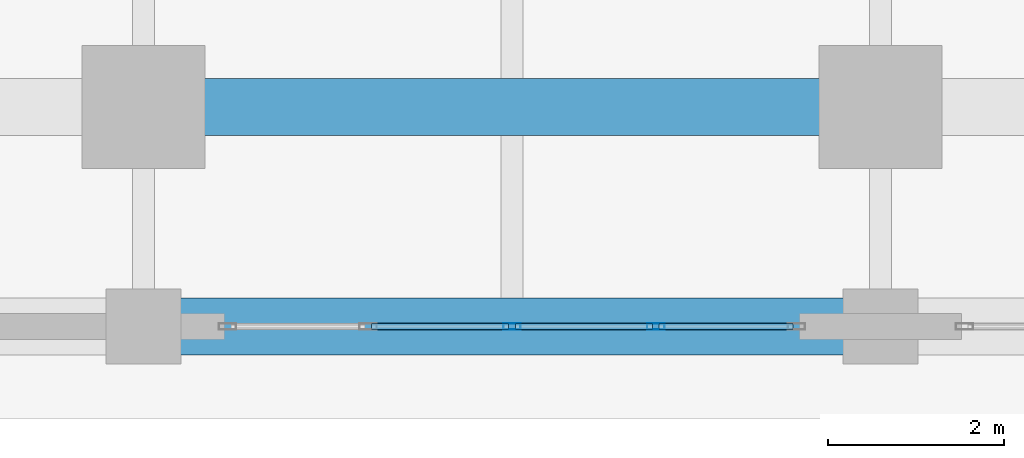
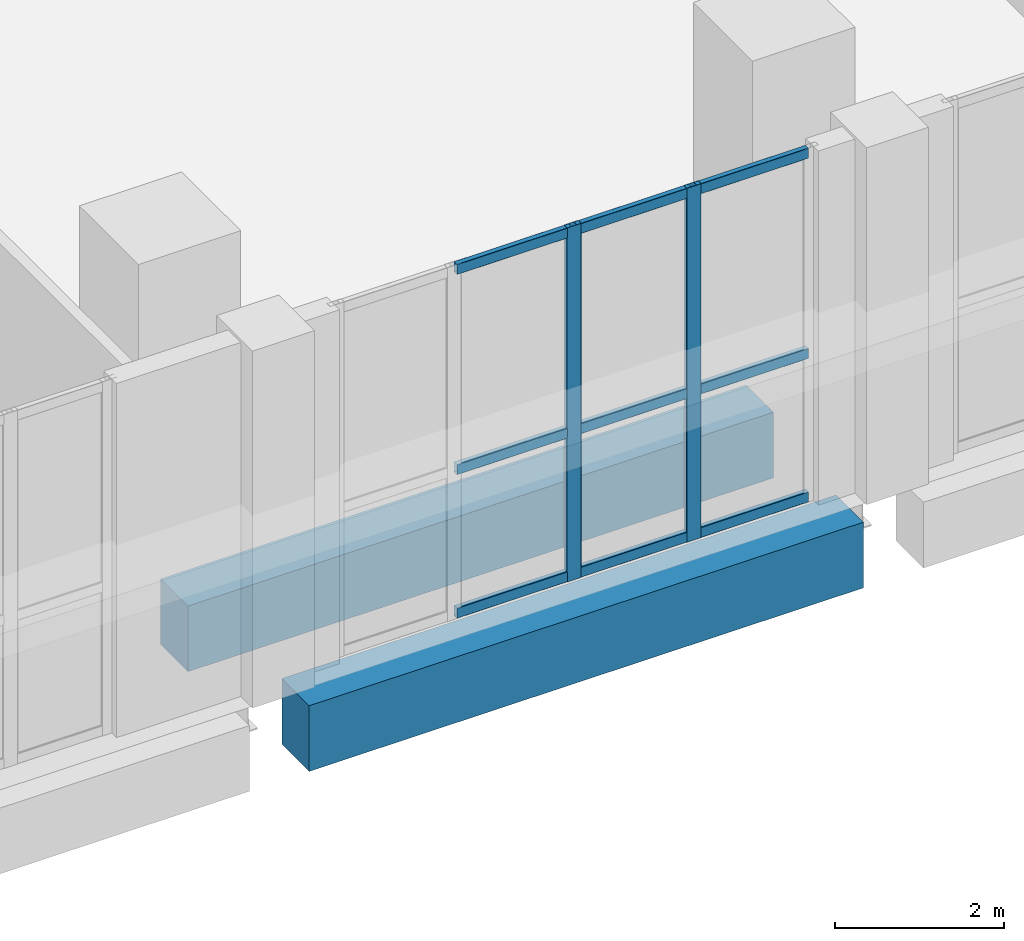
# One storey, part 9 of 25: 11 members, 2 beams, 1 element without a shape of its own.
"""IFC4 building model written with IfcOpenShell, lengths in metres."""

import ifcopenshell
import ifcopenshell.guid

model = None  # the IFC model being written
_history = None  # IfcOwnerHistory: only IFC2X3 demands one
_inside = {}  # id of a spatial element -> (the spatial element, [elements in it])
_under = {}  # id of a project, library or spatial element -> (it, [spatial elements below it])
_declared = {}  # id of a project -> (the project, [libraries it declares])
_typed = {}  # id of a type object -> (the type object, [elements of that type])
_made_of = {}  # id of a material, layer set ... -> (it, [elements and type objects made of it])


def new_model(schema):
    """Start an empty IFC model of exactly this schema.

    Asked for "IFC4X3", IfcOpenShell would pick the latest addendum, in which some entities
    have other attributes; the version numbers below select the first issue.
    IFC2X3 requires an IfcOwnerHistory on every rooted entity: one is made here for all.
    """
    global model, _history
    if schema == "IFC4X3":
        model = ifcopenshell.file(schema_version=(4, 3, 0, 0))
    else:
        model = ifcopenshell.file(schema=schema)
    _inside.clear()
    _under.clear()
    _declared.clear()
    _typed.clear()
    _made_of.clear()
    _history = None
    if model.schema == "IFC2X3":
        org = make("IfcOrganization", Name="unknown")
        user = make(
            "IfcPersonAndOrganization",
            ThePerson=make("IfcPerson", FamilyName="unknown"),
            TheOrganization=org,
        )
        app = make(
            "IfcApplication",
            ApplicationDeveloper=org,
            Version="unknown",
            ApplicationFullName="unknown",
            ApplicationIdentifier="unknown",
        )
        _history = make(
            "IfcOwnerHistory",
            OwningUser=user,
            OwningApplication=app,
            ChangeAction="ADDED",
            CreationDate=0,
        )
    return model


def make(cls, **values):
    """One entity of the class cls with the attributes given. An attribute that is None is left unset."""
    return model.create_entity(
        cls, **{name: value for name, value in values.items() if value is not None}
    )


def rooted(cls, **values):
    """An entity with a GlobalId (a new one), such as an element, a storey or a relation."""
    return make(cls, GlobalId=ifcopenshell.guid.new(), OwnerHistory=_history, **values)


def si_unit(unit_type, name, prefix=None):
    """IfcSIUnit, for example si_unit("LENGTHUNIT", "METRE", prefix="MILLI")."""
    return make("IfcSIUnit", UnitType=unit_type, Prefix=prefix, Name=name)


def assignment(units):
    """IfcUnitAssignment: the units of a project."""
    return None if units is None else make("IfcUnitAssignment", Units=units)


def point(xyz):
    """IfcCartesianPoint."""
    return None if xyz is None else make("IfcCartesianPoint", Coordinates=xyz)


def direction(xyz):
    """IfcDirection."""
    return None if xyz is None else make("IfcDirection", DirectionRatios=xyz)


def frame(location, z_axis=None, x_axis=None):
    """IfcAxis2Placement3D, a coordinate frame: its origin and axes. An axis left out is left unset."""
    return make(
        "IfcAxis2Placement3D",
        Location=point(location),
        Axis=direction(z_axis),
        RefDirection=direction(x_axis),
    )


def frame_2d(location, x_axis=None):
    """IfcAxis2Placement2D, a coordinate frame in the plane: its origin and x axis."""
    return make(
        "IfcAxis2Placement2D", Location=point(location), RefDirection=direction(x_axis)
    )


def origin():
    """The frame at (0, 0, 0) with its axes left unset."""
    return frame((0.0, 0.0, 0.0))


def origin_2d():
    """The frame at (0, 0) in the plane with its x axis left unset."""
    return frame_2d((0.0, 0.0))


def place(relative_to, where):
    """IfcLocalPlacement: puts the frame where relative to a parent placement (None: the world)."""
    return make(
        "IfcLocalPlacement", PlacementRelTo=relative_to, RelativePlacement=where
    )


def context(
    kind, dimensions, precision=None, world=None, true_north=None, identifier=None
):
    """IfcGeometricRepresentationContext, for example the 3D "Model" context."""
    return make(
        "IfcGeometricRepresentationContext",
        ContextIdentifier=identifier,
        ContextType=kind,
        CoordinateSpaceDimension=dimensions,
        Precision=precision,
        WorldCoordinateSystem=world,
        TrueNorth=true_north,
    )


def subcontext(parent, identifier, kind, view, scale=None):
    """IfcGeometricRepresentationSubContext, for example "Body" below "Model"."""
    return make(
        "IfcGeometricRepresentationSubContext",
        ContextIdentifier=identifier,
        ContextType=kind,
        ParentContext=parent,
        TargetScale=scale,
        TargetView=view,
    )


def project(units=None, contexts=None):
    """IfcProject with its units and contexts."""
    return rooted(
        "IfcProject",
        Name="project",
        RepresentationContexts=contexts,
        UnitsInContext=assignment(units),
    )


def spatial(cls, under=None, at=None, **own):
    """A site, building, storey or space (cls), placed at a placement, below another one or the project."""
    s = rooted(cls, ObjectPlacement=at, **own)
    if under is not None:
        _under.setdefault(under.id(), (under, []))[1].append(s)
    return s


def profile(cls, at=None, kind="AREA", **sizes):
    """A parametric profile (cls). Its sizes go by their IFC names, for example OverallWidth=200.0."""
    return make(cls, ProfileType=kind, Position=at, **sizes)


def rectangle(**sizes):
    """IfcRectangleProfileDef."""
    return profile("IfcRectangleProfileDef", **sizes)


def hollow_rectangle(**sizes):
    """IfcRectangleHollowProfileDef."""
    return profile("IfcRectangleHollowProfileDef", **sizes)


def extrude(swept, where, along, depth):
    """IfcExtrudedAreaSolid: the profile swept, set in the frame where, extruded along a direction by depth."""
    return make(
        "IfcExtrudedAreaSolid",
        SweptArea=swept,
        Position=where,
        ExtrudedDirection=direction(along),
        Depth=depth,
    )


def shape(context_of_items, identifier, shape_type, items):
    """IfcShapeRepresentation: the items that make up one representation, for example the "Body"."""
    return make(
        "IfcShapeRepresentation",
        ContextOfItems=context_of_items,
        RepresentationIdentifier=identifier,
        RepresentationType=shape_type,
        Items=items,
    )


def material(Name=None, Category=None):
    """IfcMaterial."""
    return make("IfcMaterial", Name=Name, Category=Category)


def layer(
    of_material, thickness, ventilated=None, Name=None, Category=None, Priority=None
):
    """IfcMaterialLayer: one layer of a wall or slab, of a material (None: an air gap)."""
    return make(
        "IfcMaterialLayer",
        Material=of_material,
        LayerThickness=thickness,
        IsVentilated=ventilated,
        Name=Name,
        Category=Category,
        Priority=Priority,
    )


def layer_set(layers, Name=None):
    """IfcMaterialLayerSet."""
    return make("IfcMaterialLayerSet", MaterialLayers=layers, LayerSetName=Name)


def material_profile(
    of_material, cross_section, Name=None, Category=None, Priority=None
):
    """IfcMaterialProfile: a cross section and its material."""
    return make(
        "IfcMaterialProfile",
        Name=Name,
        Material=of_material,
        Profile=cross_section,
        Priority=Priority,
        Category=Category,
    )


def profile_set(profiles, Name=None, composite=None):
    """IfcMaterialProfileSet."""
    return make(
        "IfcMaterialProfileSet",
        Name=Name,
        MaterialProfiles=profiles,
        CompositeProfile=composite,
    )


def made_of(thing, what):
    """Note that an element or type object is made of a material, layer set ...; save() writes the relation."""
    if what is not None:
        _made_of.setdefault(what.id(), (what, []))[1].append(thing)
    return thing


def type_object(cls, material=None, **own):
    """A type object (cls), such as IfcWallType, which elements share."""
    return made_of(rooted(cls, **own), material)


def element(
    cls,
    number,
    at=None,
    inside=None,
    cuts=None,
    type_object=None,
    material=None,
    context=None,
    identifier="Body",
    shape_type=None,
    held_by="IfcProductDefinitionShape",
    body=None,
    shapes=None,
    **own,
):
    """One element of the class cls, such as IfcWall. Its Tag is "e" and its number.

    at: its placement. inside: the storey or other place that contains it. cuts: it is an
    opening in that element (IfcRelVoidsElement). A single representation is given by context,
    identifier, shape_type and body (its items); several are given by shapes. held_by: the class
    of the entity that holds the representations. save() writes the other relations.
    """
    e = rooted(cls, Tag="e%d" % number, ObjectPlacement=at, **own)
    if body is not None:
        shapes = [shape(context, identifier, shape_type, body)]
    if shapes is not None:
        e.Representation = make(held_by, Representations=shapes)
    if inside is not None:
        _inside.setdefault(inside.id(), (inside, []))[1].append(e)
    if cuts is not None:
        rooted(
            "IfcRelVoidsElement", RelatingBuildingElement=cuts, RelatedOpeningElement=e
        )
    if type_object is not None:
        _typed.setdefault(type_object.id(), (type_object, []))[1].append(e)
    return made_of(e, material)


def aggregate(whole, parts):
    """IfcRelAggregates: a whole, such as a stair, and the parts it consists of."""
    return rooted("IfcRelAggregates", RelatingObject=whole, RelatedObjects=parts)


def save(model, path):
    """Write the relations noted so far, then the file.

    IfcRelAggregates (storeys below a building ...), IfcRelContainedInSpatialStructure (elements
    in a storey), IfcRelDefinesByType, IfcRelAssociatesMaterial and IfcRelDeclares: one each for
    every whole, place, type object, material and project.
    """
    for whole, parts in _under.values():
        aggregate(whole, parts)
    for where, things in _inside.values():
        rooted(
            "IfcRelContainedInSpatialStructure",
            RelatedElements=things,
            RelatingStructure=where,
        )
    for kind, things in _typed.values():
        rooted("IfcRelDefinesByType", RelatedObjects=things, RelatingType=kind)
    for what, things in _made_of.values():
        rooted("IfcRelAssociatesMaterial", RelatedObjects=things, RelatingMaterial=what)
    for by, libraries in _declared.values():
        rooted("IfcRelDeclares", RelatingContext=by, RelatedDefinitions=libraries)
    model.write(path)


model = new_model("IFC4")

# Units and contexts
model_context = context("Model", 3, precision=1e-05, world=origin(), true_north=direction((0.0, 1.0)))
body_context = subcontext(model_context, "Body", "Model", "MODEL_VIEW")
ifc_project = project(units=[si_unit("LENGTHUNIT", "METRE"), si_unit("AREAUNIT", "SQUARE_METRE"), si_unit("VOLUMEUNIT", "CUBIC_METRE"), si_unit("PLANEANGLEUNIT", "RADIAN"), si_unit("MASSUNIT", "GRAM", prefix="KILO")], contexts=[model_context])

# Site, building, storey
site_placement = place(None, origin())
site = spatial("IfcSite", under=ifc_project, at=site_placement, CompositionType="ELEMENT")
building_placement = place(site_placement, origin())
building = spatial("IfcBuilding", under=site, at=building_placement, Name="Kaelvorn Grand Hotel", CompositionType="ELEMENT")
storey_placement = place(building_placement, frame((0.0, 0.0, 26.0)))
storey = spatial("IfcBuildingStorey", under=building, at=storey_placement, Name="L04", CompositionType="ELEMENT", Elevation=26.0)

# Beams
ifc_material_1 = material(Name="Concrete C60/75", Category="concrete")
ifc_material_profile_1 = material_profile(ifc_material_1, rectangle(XDim=0.64990234375, YDim=0.949951171875, at=origin_2d()), Name="RC SPANDREL 650x950")
ifc_profile_set_1 = profile_set([ifc_material_profile_1], Name="Concrete C60/75")
beam_type = type_object("IfcBeamType", Name="BM-SP-650x950-C60", PredefinedType="SPANDREL", material=ifc_profile_set_1)
beam_1_placement = place(storey_placement, frame((38.2099609375, -2.5, -0.794921875), z_axis=(1.0, 0.0, 0.0), x_axis=(0.0, 1.0, 0.0)))
element("IfcBeam", 1, at=beam_1_placement, inside=storey, type_object=beam_type, Name="L04 South Perimeter Spandrel 04", PredefinedType="SPANDREL", context=body_context, shape_type="SweptSolid", body=[
    extrude(rectangle(XDim=0.64990234375, YDim=0.949951171875, at=origin_2d()), origin(), (0.0, 0.0, 1.0), 7.580078125),
])
beam_2_placement = place(storey_placement, frame((37.9951171875, 0.0, -0.794921875), z_axis=(1.0, 0.0, 0.0), x_axis=(0.0, 1.0, 0.0)))
element("IfcBeam", 2, at=beam_2_placement, inside=storey, type_object=beam_type, Name="L04 Tower Line South Girder 05", PredefinedType="SPANDREL", context=body_context, shape_type="SweptSolid", body=[
    extrude(rectangle(XDim=0.64990234375, YDim=0.949951171875, at=origin_2d()), origin(), (0.0, 0.0, 1.0), 8.009765625),
])

# Curtain wall, members
ifc_material_2 = material(Name="Anodised Aluminium", Category="aluminium")
ifc_layer = layer(ifc_material_2, 0.199951171875)
ifc_layer_set = layer_set([ifc_layer], Name="Anodised Aluminium")
curtain_wall_type = type_object("IfcCurtainWallType", Name="CW-SYS2", PredefinedType="NOTDEFINED", material=ifc_layer_set)
curtain_wall_placement = place(storey_placement, origin())
curtain_wall = element("IfcCurtainWall", 3, at=curtain_wall_placement, inside=storey, type_object=curtain_wall_type, Name="L04 Unitised Curtain Wall CW2 (CW-L04-S-04)", PredefinedType="NOTDEFINED")
ifc_material_profile_2 = material_profile(ifc_material_2, hollow_rectangle(XDim=0.074951171875, YDim=0.199951171875, WallThickness=0.00390625, InnerFilletRadius=0.00390625, OuterFilletRadius=0.008056640625, at=origin_2d()), Name="ALU MULL 75x200")
ifc_profile_set_2 = profile_set([ifc_material_profile_2], Name="Anodised Aluminium")
member_type_1 = type_object("IfcMemberType", Name="CW-SYS2-MULL", PredefinedType="MULLION", material=ifc_profile_set_2)
member_1_placement = place(storey_placement, frame((42.0, -2.5, 0.0), z_axis=(0.0, 0.0, 1.0), x_axis=(0.0, 1.0, 0.0)))
member_1 = element("IfcMember", 4, at=member_1_placement, type_object=member_type_1, Name="CW2 mullion 3", PredefinedType="MULLION", context=body_context, shape_type="SweptSolid", body=[
    extrude(hollow_rectangle(XDim=0.074951171875, YDim=0.199951171875, WallThickness=0.00390625, InnerFilletRadius=0.00390625, OuterFilletRadius=0.008056640625, at=origin_2d()), origin(), (0.0, 0.0, 1.0), 5.1201171875),
])
member_2_placement = place(storey_placement, frame((43.639892578125, -2.5, 0.0), z_axis=(0.0, 0.0, 1.0), x_axis=(0.0, 1.0, 0.0)))
member_2 = element("IfcMember", 5, at=member_2_placement, type_object=member_type_1, Name="CW2 mullion 4", PredefinedType="MULLION", context=body_context, shape_type="SweptSolid", body=[
    extrude(hollow_rectangle(XDim=0.074951171875, YDim=0.199951171875, WallThickness=0.00390625, InnerFilletRadius=0.00390625, OuterFilletRadius=0.008056640625, at=origin_2d()), origin(), (0.0, 0.0, 1.0), 5.1201171875),
])
ifc_material_profile_3 = material_profile(ifc_material_2, hollow_rectangle(XDim=0.074951171875, YDim=0.14990234375, WallThickness=0.00390625, InnerFilletRadius=0.00390625, OuterFilletRadius=0.008056640625, at=origin_2d()), Name="ALU TRAN 75x150")
ifc_profile_set_3 = profile_set([ifc_material_profile_3], Name="Anodised Aluminium")
member_type_2 = type_object("IfcMemberType", Name="CW-SYS2-TRAN", PredefinedType="NOTDEFINED", material=ifc_profile_set_3)
member_3_placement = place(storey_placement, frame((40.3974609375, -2.5, 0.074951171875), z_axis=(1.0, 0.0, 0.0), x_axis=(0.0, 1.0, 0.0)))
member_3 = element("IfcMember", 6, at=member_3_placement, type_object=member_type_2, Name="CW2 transom 2.1", ObjectType="TRANSOM", PredefinedType="USERDEFINED", context=body_context, shape_type="SweptSolid", body=[
    extrude(hollow_rectangle(XDim=0.074951171875, YDim=0.14990234375, WallThickness=0.00390625, InnerFilletRadius=0.00390625, OuterFilletRadius=0.008056640625, at=origin_2d()), origin(), (0.0, 0.0, 1.0), 1.56494140625),
])
member_4_placement = place(storey_placement, frame((40.3974609375, -2.5, 2.150390625), z_axis=(1.0, 0.0, 0.0), x_axis=(0.0, 1.0, 0.0)))
member_4 = element("IfcMember", 7, at=member_4_placement, type_object=member_type_2, Name="CW2 transom 2.2", ObjectType="TRANSOM", PredefinedType="USERDEFINED", context=body_context, shape_type="SweptSolid", body=[
    extrude(hollow_rectangle(XDim=0.074951171875, YDim=0.14990234375, WallThickness=0.00390625, InnerFilletRadius=0.00390625, OuterFilletRadius=0.008056640625, at=origin_2d()), origin(), (0.0, 0.0, 1.0), 1.56494140625),
])
member_5_placement = place(storey_placement, frame((40.3974609375, -2.5, 5.044921875), z_axis=(1.0, 0.0, 0.0), x_axis=(0.0, 1.0, 0.0)))
member_5 = element("IfcMember", 8, at=member_5_placement, type_object=member_type_2, Name="CW2 transom 2.3", ObjectType="TRANSOM", PredefinedType="USERDEFINED", context=body_context, shape_type="SweptSolid", body=[
    extrude(hollow_rectangle(XDim=0.074951171875, YDim=0.14990234375, WallThickness=0.00390625, InnerFilletRadius=0.00390625, OuterFilletRadius=0.008056640625, at=origin_2d()), origin(), (0.0, 0.0, 1.0), 1.56494140625),
])
member_6_placement = place(storey_placement, frame((42.03759765625, -2.5, 0.074951171875), z_axis=(1.0, 0.0, 0.0), x_axis=(0.0, 1.0, 0.0)))
member_6 = element("IfcMember", 9, at=member_6_placement, type_object=member_type_2, Name="CW2 transom 3.1", ObjectType="TRANSOM", PredefinedType="USERDEFINED", context=body_context, shape_type="SweptSolid", body=[
    extrude(hollow_rectangle(XDim=0.074951171875, YDim=0.14990234375, WallThickness=0.00390625, InnerFilletRadius=0.00390625, OuterFilletRadius=0.008056640625, at=origin_2d()), origin(), (0.0, 0.0, 1.0), 1.56494140625),
])
member_7_placement = place(storey_placement, frame((42.03759765625, -2.5, 2.150390625), z_axis=(1.0, 0.0, 0.0), x_axis=(0.0, 1.0, 0.0)))
member_7 = element("IfcMember", 10, at=member_7_placement, type_object=member_type_2, Name="CW2 transom 3.2", ObjectType="TRANSOM", PredefinedType="USERDEFINED", context=body_context, shape_type="SweptSolid", body=[
    extrude(hollow_rectangle(XDim=0.074951171875, YDim=0.14990234375, WallThickness=0.00390625, InnerFilletRadius=0.00390625, OuterFilletRadius=0.008056640625, at=origin_2d()), origin(), (0.0, 0.0, 1.0), 1.56494140625),
])
member_8_placement = place(storey_placement, frame((42.03759765625, -2.5, 5.044921875), z_axis=(1.0, 0.0, 0.0), x_axis=(0.0, 1.0, 0.0)))
member_8 = element("IfcMember", 11, at=member_8_placement, type_object=member_type_2, Name="CW2 transom 3.3", ObjectType="TRANSOM", PredefinedType="USERDEFINED", context=body_context, shape_type="SweptSolid", body=[
    extrude(hollow_rectangle(XDim=0.074951171875, YDim=0.14990234375, WallThickness=0.00390625, InnerFilletRadius=0.00390625, OuterFilletRadius=0.008056640625, at=origin_2d()), origin(), (0.0, 0.0, 1.0), 1.56494140625),
])
member_9_placement = place(storey_placement, frame((43.677490234375, -2.5, 0.074951171875), z_axis=(1.0, 0.0, 0.0), x_axis=(0.0, 1.0, 0.0)))
member_9 = element("IfcMember", 12, at=member_9_placement, type_object=member_type_2, Name="CW2 transom 4.1", ObjectType="TRANSOM", PredefinedType="USERDEFINED", context=body_context, shape_type="SweptSolid", body=[
    extrude(hollow_rectangle(XDim=0.074951171875, YDim=0.14990234375, WallThickness=0.00390625, InnerFilletRadius=0.00390625, OuterFilletRadius=0.008056640625, at=origin_2d()), origin(), (0.0, 0.0, 1.0), 1.527587890625),
])
member_10_placement = place(storey_placement, frame((43.677490234375, -2.5, 2.150390625), z_axis=(1.0, 0.0, 0.0), x_axis=(0.0, 1.0, 0.0)))
member_10 = element("IfcMember", 13, at=member_10_placement, type_object=member_type_2, Name="CW2 transom 4.2", ObjectType="TRANSOM", PredefinedType="USERDEFINED", context=body_context, shape_type="SweptSolid", body=[
    extrude(hollow_rectangle(XDim=0.074951171875, YDim=0.14990234375, WallThickness=0.00390625, InnerFilletRadius=0.00390625, OuterFilletRadius=0.008056640625, at=origin_2d()), origin(), (0.0, 0.0, 1.0), 1.527587890625),
])
member_11_placement = place(storey_placement, frame((43.677490234375, -2.5, 5.044921875), z_axis=(1.0, 0.0, 0.0), x_axis=(0.0, 1.0, 0.0)))
member_11 = element("IfcMember", 14, at=member_11_placement, type_object=member_type_2, Name="CW2 transom 4.3", ObjectType="TRANSOM", PredefinedType="USERDEFINED", context=body_context, shape_type="SweptSolid", body=[
    extrude(hollow_rectangle(XDim=0.074951171875, YDim=0.14990234375, WallThickness=0.00390625, InnerFilletRadius=0.00390625, OuterFilletRadius=0.008056640625, at=origin_2d()), origin(), (0.0, 0.0, 1.0), 1.527587890625),
])
aggregate(curtain_wall, [member_1, member_2, member_3, member_4, member_5, member_6, member_7, member_8, member_9, member_10, member_11])

save(model, "model.ifc")
